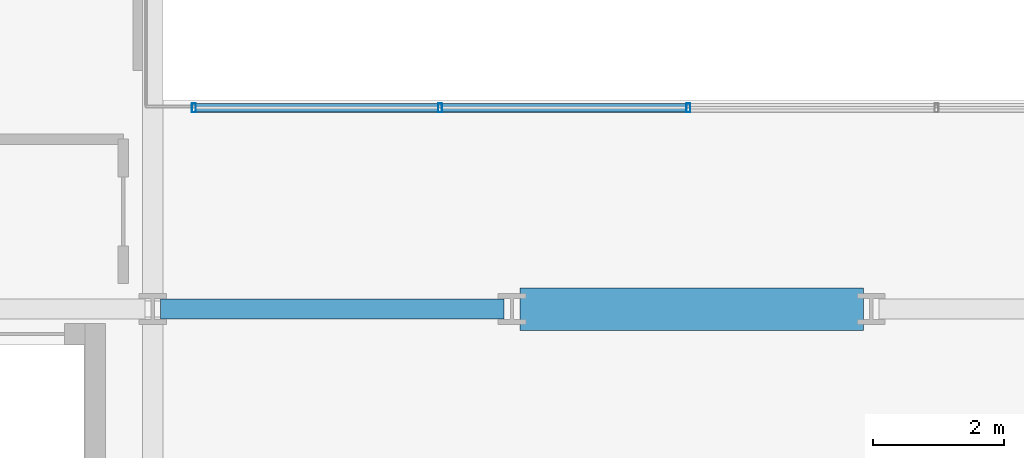
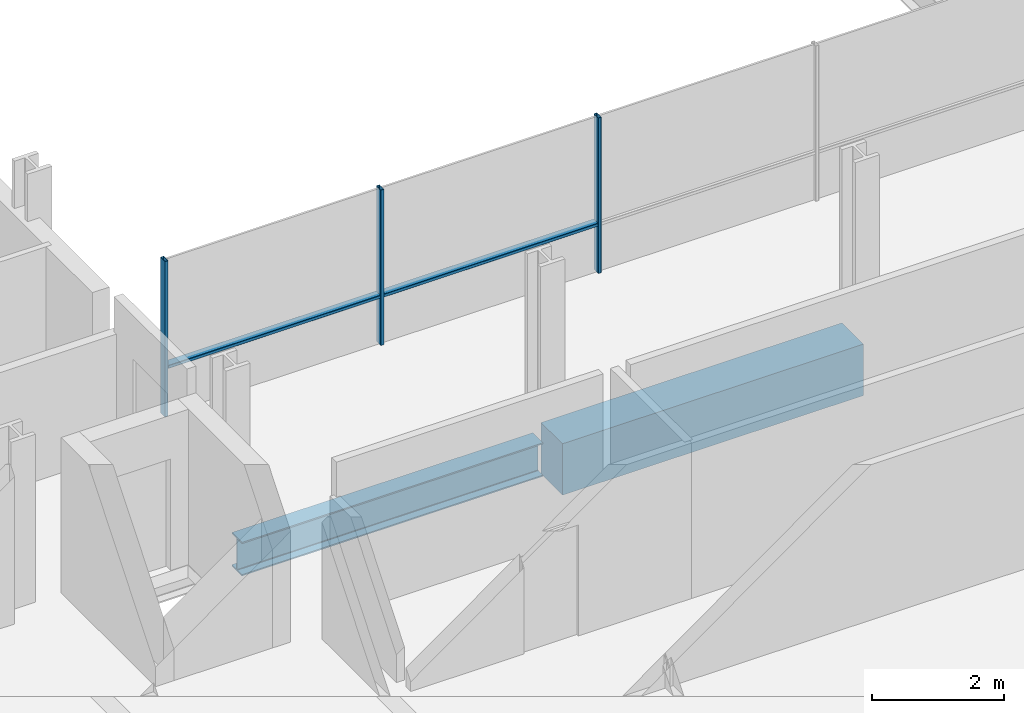
# One storey, part 4 of 39: 5 members, 2 beams, 1 element without a shape of its own.
"""IFC4 building model written with IfcOpenShell, lengths in metres."""

from ifc_helpers import new_model, si_unit, direction, frame, origin, origin_2d, place, context, subcontext, project, spatial, rectangle, hollow_rectangle, i_section, extrude, material, layer, layer_set, material_profile, profile_set, type_object, element, aggregate, save


model = new_model("IFC4")

# Units and contexts
model_context = context("Model", 3, precision=1e-05, world=origin(), true_north=direction((0.0, 1.0)))
body_context = subcontext(model_context, "Body", "Model", "MODEL_VIEW")
ifc_project = project(units=[si_unit("LENGTHUNIT", "METRE"), si_unit("AREAUNIT", "SQUARE_METRE"), si_unit("VOLUMEUNIT", "CUBIC_METRE"), si_unit("PLANEANGLEUNIT", "RADIAN"), si_unit("MASSUNIT", "GRAM", prefix="KILO")], contexts=[model_context])

# Site, building, storey
site_placement = place(None, origin())
site = spatial("IfcSite", under=ifc_project, at=site_placement, CompositionType="ELEMENT")
building_placement = place(site_placement, origin())
building = spatial("IfcBuilding", under=site, at=building_placement, Name="Brevholm Reach", CompositionType="ELEMENT")
storey_placement = place(building_placement, frame((0.0, 0.0, 40.39990234375)))
storey = spatial("IfcBuildingStorey", under=building, at=storey_placement, Name="L10", CompositionType="ELEMENT", Elevation=40.39990234375)

# Beams
ifc_material_1 = material(Name="Concrete C60/75", Category="concrete")
ifc_material_profile_1 = material_profile(ifc_material_1, rectangle(XDim=0.64990234375, YDim=0.949951171875, at=origin_2d()), Name="RC 650x950")
ifc_profile_set_1 = profile_set([ifc_material_profile_1], Name="Concrete C60/75")
beam_type_1 = type_object("IfcBeamType", Name="BM-CB650", PredefinedType="LINTEL", material=ifc_profile_set_1)
beam_1_placement = place(storey_placement, frame((27.3701171875, 10.0, -0.704833984375), z_axis=(1.0, 0.0, 0.0), x_axis=(0.0, 1.0, 0.0)))
element("IfcBeam", 1, at=beam_1_placement, inside=storey, type_object=beam_type_1, Name="L10 CB-01 Framing Beam", PredefinedType="LINTEL", context=body_context, shape_type="SweptSolid", body=[
    extrude(rectangle(XDim=0.64990234375, YDim=0.949951171875, at=origin_2d()), origin(), (0.0, 0.0, 1.0), 5.259765625),
])
ifc_material_2 = material(Name="Structural Steel S355J2", Category="steel")
ifc_material_profile_2 = material_profile(ifc_material_2, i_section(OverallWidth=0.30712890625, OverallDepth=0.6201171875, WebThickness=0.01416015625, FlangeThickness=0.023681640625, FilletRadius=0.0166015625, at=origin_2d()), Name="UKB 610x305x179")
ifc_profile_set_2 = profile_set([ifc_material_profile_2], Name="Structural Steel S355J2")
beam_type_2 = type_object("IfcBeamType", Name="BM-UKB610H", PredefinedType="USERDEFINED", material=ifc_profile_set_2)
beam_2_placement = place(storey_placement, frame((21.8701171875, 10.0, -0.5400390625), z_axis=(1.0, 0.0, 0.0), x_axis=(0.0, 1.0, 0.0)))
element("IfcBeam", 2, at=beam_2_placement, inside=storey, type_object=beam_type_2, Name="L10 G-06 Framing Beam", ObjectType="GIRDER", PredefinedType="USERDEFINED", context=body_context, shape_type="SweptSolid", body=[
    extrude(i_section(OverallWidth=0.30712890625, OverallDepth=0.6201171875, WebThickness=0.01416015625, FlangeThickness=0.023681640625, FilletRadius=0.0166015625, at=origin_2d()), origin(), (0.0, 0.0, 1.0), 5.259765625),
])

# Curtain wall, members
ifc_material_3 = material(Name="Dark Anodised Aluminium 6063-T6 and Solar-Control Glass", Category="aluminium")
ifc_layer = layer(ifc_material_3, 0.139892578125)
ifc_layer_set = layer_set([ifc_layer], Name="Dark Anodised Aluminium 6063-T6 and Solar-Control Glass")
curtain_wall_type = type_object("IfcCurtainWallType", Name="CW-02", PredefinedType="NOTDEFINED", material=ifc_layer_set)
curtain_wall_placement = place(storey_placement, origin())
curtain_wall = element("IfcCurtainWall", 3, at=curtain_wall_placement, inside=storey, type_object=curtain_wall_type, Name="L10 Curtain Wall CW-02", PredefinedType="NOTDEFINED")
ifc_material_4 = material(Name="Dark Anodised Aluminium 6063-T6", Category="aluminium")
ifc_material_profile_3 = material_profile(ifc_material_4, hollow_rectangle(XDim=0.06005859375, YDim=0.139892578125, WallThickness=0.0048828125, InnerFilletRadius=0.0048828125, OuterFilletRadius=0.010009765625, at=origin_2d()), Name="RHS 140x60x5")
ifc_profile_set_3 = profile_set([ifc_material_profile_3], Name="Dark Anodised Aluminium 6063-T6")
member_type_1 = type_object("IfcMemberType", Name="CWM-140", PredefinedType="MULLION", material=ifc_profile_set_3)
member_1_placement = place(storey_placement, frame((22.3798828125, 13.080078125, 0.0), z_axis=(0.0, 0.0, 1.0), x_axis=(1.0, 0.0, 0.0)))
member_1 = element("IfcMember", 4, at=member_1_placement, type_object=member_type_1, Name="CM-140 Mullion 1", PredefinedType="MULLION", context=body_context, shape_type="SweptSolid", body=[
    extrude(hollow_rectangle(XDim=0.06005859375, YDim=0.139892578125, WallThickness=0.0048828125, InnerFilletRadius=0.0048828125, OuterFilletRadius=0.010009765625, at=origin_2d()), origin(), (0.0, 0.0, 1.0), 2.8701171875),
])
member_2_placement = place(storey_placement, frame((26.14990234375, 13.080078125, 0.0), z_axis=(0.0, 0.0, 1.0), x_axis=(1.0, 0.0, 0.0)))
member_2 = element("IfcMember", 5, at=member_2_placement, type_object=member_type_1, Name="CM-140 Mullion 2", PredefinedType="MULLION", context=body_context, shape_type="SweptSolid", body=[
    extrude(hollow_rectangle(XDim=0.06005859375, YDim=0.139892578125, WallThickness=0.0048828125, InnerFilletRadius=0.0048828125, OuterFilletRadius=0.010009765625, at=origin_2d()), origin(), (0.0, 0.0, 1.0), 2.8701171875),
])
member_3_placement = place(storey_placement, frame((29.949951171875, 13.080078125, 0.0), z_axis=(0.0, 0.0, 1.0), x_axis=(1.0, 0.0, 0.0)))
member_3 = element("IfcMember", 6, at=member_3_placement, type_object=member_type_1, Name="CM-140 Mullion 3", PredefinedType="MULLION", context=body_context, shape_type="SweptSolid", body=[
    extrude(hollow_rectangle(XDim=0.06005859375, YDim=0.139892578125, WallThickness=0.0048828125, InnerFilletRadius=0.0048828125, OuterFilletRadius=0.010009765625, at=origin_2d()), origin(), (0.0, 0.0, 1.0), 2.8701171875),
])
ifc_material_5 = material(Name="Dark Anodised Aluminium 6063-T6", Category="aluminium")
ifc_material_profile_4 = material_profile(ifc_material_5, hollow_rectangle(XDim=0.06005859375, YDim=0.139892578125, WallThickness=0.0048828125, InnerFilletRadius=0.0048828125, OuterFilletRadius=0.010009765625, at=origin_2d()), Name="RHS 140x60x5")
ifc_profile_set_4 = profile_set([ifc_material_profile_4], Name="Dark Anodised Aluminium 6063-T6")
member_type_2 = type_object("IfcMemberType", Name="CWT-140", PredefinedType="NOTDEFINED", material=ifc_profile_set_4)
member_4_placement = place(storey_placement, frame((22.409912109375, 13.080078125, 0.900146484375), z_axis=(1.0, 0.0, 0.0), x_axis=(0.0, 0.0, 1.0)))
member_4 = element("IfcMember", 7, at=member_4_placement, type_object=member_type_2, Name="CT-140 Transom 1.1", ObjectType="TRANSOM", PredefinedType="USERDEFINED", context=body_context, shape_type="SweptSolid", body=[
    extrude(hollow_rectangle(XDim=0.06005859375, YDim=0.139892578125, WallThickness=0.0048828125, InnerFilletRadius=0.0048828125, OuterFilletRadius=0.010009765625, at=origin_2d()), origin(), (0.0, 0.0, 1.0), 3.710205078125),
])
member_5_placement = place(storey_placement, frame((26.179931640625, 13.080078125, 0.900146484375), z_axis=(1.0, 0.0, 0.0), x_axis=(0.0, 0.0, 1.0)))
member_5 = element("IfcMember", 8, at=member_5_placement, type_object=member_type_2, Name="CT-140 Transom 2.1", ObjectType="TRANSOM", PredefinedType="USERDEFINED", context=body_context, shape_type="SweptSolid", body=[
    extrude(hollow_rectangle(XDim=0.06005859375, YDim=0.139892578125, WallThickness=0.0048828125, InnerFilletRadius=0.0048828125, OuterFilletRadius=0.010009765625, at=origin_2d()), origin(), (0.0, 0.0, 1.0), 3.739990234375),
])
aggregate(curtain_wall, [member_1, member_2, member_3, member_4, member_5])

save(model, "model.ifc")
